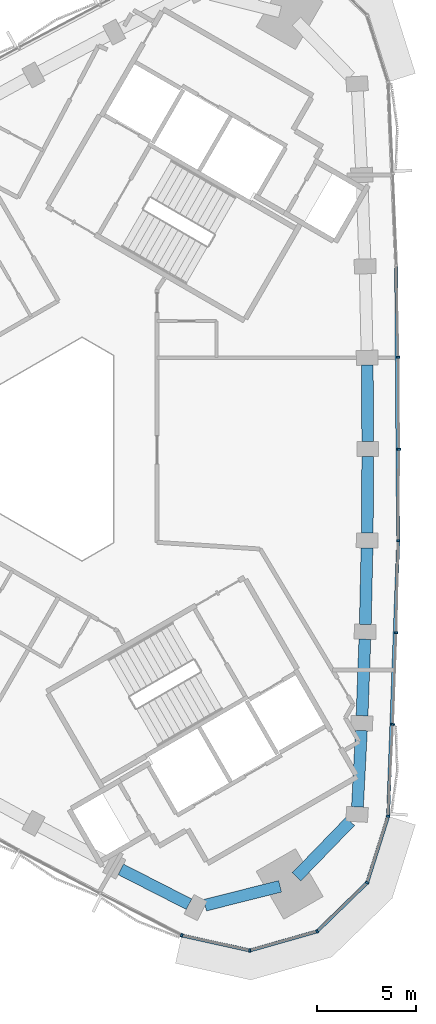
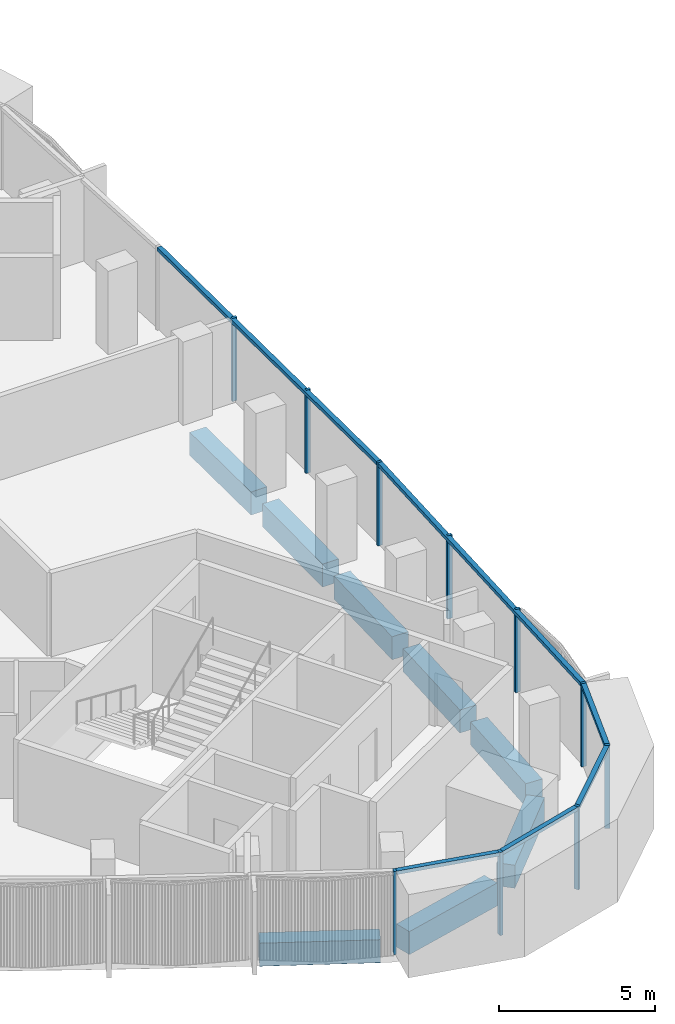
# One storey, part 4 of 14: 16 members, 8 beams, 2 elements without a shape of their own.
"""IFC4 building model written with IfcOpenShell, lengths in metres."""

from ifc_helpers import new_model, si_unit, direction, frame, origin, origin_2d, place, context, subcontext, project, spatial, rectangle, extrude, material, material_profile, profile_set, type_object, element, aggregate, save


model = new_model("IFC4")

# Units and contexts
model_context = context("Model", 3, precision=1e-05, world=origin(), true_north=direction((0.0, 1.0)))
body_context = subcontext(model_context, "Body", "Model", "MODEL_VIEW")
ifc_project = project(units=[si_unit("LENGTHUNIT", "METRE"), si_unit("AREAUNIT", "SQUARE_METRE"), si_unit("VOLUMEUNIT", "CUBIC_METRE"), si_unit("PLANEANGLEUNIT", "RADIAN"), si_unit("MASSUNIT", "GRAM", prefix="KILO")], contexts=[model_context])

# Site, building, storey
site_placement = place(None, origin())
site = spatial("IfcSite", under=ifc_project, at=site_placement, CompositionType="ELEMENT")
building_placement = place(site_placement, origin())
building = spatial("IfcBuilding", under=site, at=building_placement, Name="Tamra Quay Hotel Tower", CompositionType="ELEMENT")
storey_placement = place(building_placement, frame((0.0, 0.0, 228.60009765625)))
storey = spatial("IfcBuildingStorey", under=building, at=storey_placement, Name="L57", CompositionType="ELEMENT", Elevation=228.60009765625)

# Curtain wall, members
ifc_material_1 = material(Name="Aluminium 6063 anodised dark grey", Category="aluminium")
curtain_wall_type_1 = type_object("IfcCurtainWallType", Name="CW1 CURTAIN WALL", PredefinedType="NOTDEFINED", material=ifc_material_1)
curtain_wall_1_placement = place(storey_placement, origin())
curtain_wall_1 = element("IfcCurtainWall", 1, at=curtain_wall_1_placement, inside=storey, type_object=curtain_wall_type_1, Name="CW1 east face L57", PredefinedType="NOTDEFINED")
ifc_material_profile_1 = material_profile(ifc_material_1, rectangle(XDim=0.169921875, YDim=0.10009765625, at=origin_2d()), Name="MULLION 100X170")
ifc_profile_set_1 = profile_set([ifc_material_profile_1], Name="Aluminium 6063 anodised dark grey")
member_type_1 = type_object("IfcMemberType", Name="MULLION CW1 Z5", PredefinedType="MULLION", material=ifc_profile_set_1)
member_1_placement = place(storey_placement, frame((17.69677734375, -18.5830078125, 0.0), z_axis=(0.0, 0.0, 1.0), x_axis=(0.984105321789, -0.177585797933, 0.0)))
member_1 = element("IfcMember", 2, at=member_1_placement, type_object=member_type_1, Name="CW1 mullion L57.E.1", PredefinedType="MULLION", context=body_context, shape_type="SweptSolid", body=[
    extrude(rectangle(XDim=0.169921875, YDim=0.10009765625, at=origin_2d()), origin(), (0.0, 0.0, 1.0), 3.25),
])
member_2_placement = place(storey_placement, frame((17.935791015625, -13.94091796875, 0.0), z_axis=(0.0, 0.0, 1.0), x_axis=(0.999028216264, -0.044075198344, 0.0)))
member_2 = element("IfcMember", 3, at=member_2_placement, type_object=member_type_1, Name="CW1 mullion L57.E.2", PredefinedType="MULLION", context=body_context, shape_type="SweptSolid", body=[
    extrude(rectangle(XDim=0.169921875, YDim=0.10009765625, at=origin_2d()), origin(), (0.0, 0.0, 1.0), 3.25),
])
member_3_placement = place(storey_placement, frame((18.106689453125, -9.295166015625, 0.0), z_axis=(0.0, 0.0, 1.0), x_axis=(0.999567592353, -0.029404562872, 0.0)))
member_3 = element("IfcMember", 4, at=member_3_placement, type_object=member_type_1, Name="CW1 mullion L57.E.3", PredefinedType="MULLION", context=body_context, shape_type="SweptSolid", body=[
    extrude(rectangle(XDim=0.169921875, YDim=0.10009765625, at=origin_2d()), origin(), (0.0, 0.0, 1.0), 3.25),
])
member_4_placement = place(storey_placement, frame((18.209228515625, -4.648681640625, 0.0), z_axis=(0.0, 0.0, 1.0), x_axis=(0.999891761693, -0.014712746134, 0.0)))
member_4 = element("IfcMember", 5, at=member_4_placement, type_object=member_type_1, Name="CW1 mullion L57.E.4", PredefinedType="MULLION", context=body_context, shape_type="SweptSolid", body=[
    extrude(rectangle(XDim=0.169921875, YDim=0.10009765625, at=origin_2d()), origin(), (0.0, 0.0, 1.0), 3.25),
])
member_5_placement = place(storey_placement, frame((18.243408203125, 0.0, 0.0), z_axis=(0.0, 0.0, 1.0), x_axis=(1.0, 0.0, 0.0)))
member_5 = element("IfcMember", 6, at=member_5_placement, type_object=member_type_1, Name="CW1 mullion L57.E.5", PredefinedType="MULLION", context=body_context, shape_type="SweptSolid", body=[
    extrude(rectangle(XDim=0.169921875, YDim=0.10009765625, at=origin_2d()), origin(), (0.0, 0.0, 1.0), 3.25),
])
member_6_placement = place(storey_placement, frame((18.209228515625, 4.648681640625, 0.0), z_axis=(0.0, 0.0, 1.0), x_axis=(0.999891761693, 0.014712746134, 0.0)))
member_6 = element("IfcMember", 7, at=member_6_placement, type_object=member_type_1, Name="CW1 mullion L57.E.6", PredefinedType="MULLION", context=body_context, shape_type="SweptSolid", body=[
    extrude(rectangle(XDim=0.169921875, YDim=0.10009765625, at=origin_2d()), origin(), (0.0, 0.0, 1.0), 3.25),
])

curtain_wall_type_2 = type_object("IfcCurtainWallType", Name="CW3 CURTAIN WALL", PredefinedType="NOTDEFINED", material=ifc_material_1)
curtain_wall_2_placement = place(storey_placement, origin())
curtain_wall_2 = element("IfcCurtainWall", 8, at=curtain_wall_2_placement, inside=storey, type_object=curtain_wall_type_2, Name="CW3 south-west face L57", PredefinedType="NOTDEFINED")
ifc_material_profile_2 = material_profile(ifc_material_1, rectangle(XDim=0.169921875, YDim=0.10009765625, at=origin_2d()), Name="MULLION 100X170")
ifc_profile_set_2 = profile_set([ifc_material_profile_2], Name="Aluminium 6063 anodised dark grey")
member_type_2 = type_object("IfcMemberType", Name="MULLION CW3 Z5", PredefinedType="MULLION", material=ifc_profile_set_2)
member_7_placement = place(storey_placement, frame((7.244873046875, -24.617431640625, 0.0), z_axis=(0.0, 0.0, 1.0), x_axis=(-0.338258848533, -0.941053107635, 0.0)))
member_7 = element("IfcMember", 9, at=member_7_placement, type_object=member_type_2, Name="CW3 mullion L57.SW.9", PredefinedType="MULLION", context=body_context, shape_type="SweptSolid", body=[
    extrude(rectangle(XDim=0.169921875, YDim=0.10009765625, at=origin_2d()), origin(), (0.0, 0.0, 1.0), 3.25),
])
member_8_placement = place(storey_placement, frame((10.6962890625, -25.3818359375, 0.0), z_axis=(0.0, 0.0, 1.0), x_axis=(0.029222506575, -0.999572931361, 0.0)))
member_8 = element("IfcMember", 10, at=member_8_placement, type_object=member_type_2, Name="CW3 mullion L57.SW.10", PredefinedType="MULLION", context=body_context, shape_type="SweptSolid", body=[
    extrude(rectangle(XDim=0.169921875, YDim=0.10009765625, at=origin_2d()), origin(), (0.0, 0.0, 1.0), 3.25),
])
member_9_placement = place(storey_placement, frame((14.09716796875, -24.4169921875, 0.0), z_axis=(0.0, 0.0, 1.0), x_axis=(0.5, -0.866025403784, 0.0)))
member_9 = element("IfcMember", 11, at=member_9_placement, type_object=member_type_2, Name="CW3 mullion L57.SW.11", PredefinedType="MULLION", context=body_context, shape_type="SweptSolid", body=[
    extrude(rectangle(XDim=0.169921875, YDim=0.10009765625, at=origin_2d()), origin(), (0.0, 0.0, 1.0), 3.25),
])
member_10_placement = place(storey_placement, frame((16.633056640625, -21.9541015625, 0.0), z_axis=(0.0, 0.0, 1.0), x_axis=(0.851044298206, -0.525093898736, 0.0)))
member_10 = element("IfcMember", 12, at=member_10_placement, type_object=member_type_2, Name="CW3 mullion L57.SW.12", PredefinedType="MULLION", context=body_context, shape_type="SweptSolid", body=[
    extrude(rectangle(XDim=0.169921875, YDim=0.10009765625, at=origin_2d()), origin(), (0.0, 0.0, 1.0), 3.25),
])

# Beams
ifc_material_2 = material(Name="Concrete M60", Category="concrete")
ifc_material_profile_3 = material_profile(ifc_material_2, rectangle(XDim=0.60009765625, YDim=0.89990234375, at=origin_2d()), Name="SPANDREL BEAM RC 600x900")
ifc_profile_set_3 = profile_set([ifc_material_profile_3], Name="Concrete M60")
beam_type = type_object("IfcBeamType", Name="SPANDREL BEAM RC 600x900", PredefinedType="SPANDREL", material=ifc_profile_set_3)
beam_1_placement = place(storey_placement, frame((16.144775390625, -18.116455078125, -0.800048828125), z_axis=(0.051404854824, 0.998677896471, 0.0), x_axis=(-0.998677896471, 0.051404854824, 0.0)))
element("IfcBeam", 13, at=beam_1_placement, inside=storey, type_object=beam_type, Name="BM-SP5-000-L57", PredefinedType="SPANDREL", context=body_context, shape_type="SweptSolid", body=[
    extrude(rectangle(XDim=0.60009765625, YDim=0.89990234375, at=origin_2d()), origin(), (0.0, 0.0, 1.0), 3.87548828125),
])
beam_2_placement = place(storey_placement, frame((16.377197265625, -13.496826171875, -0.800048828125), z_axis=(0.036732019634, 0.999325151657, 0.0), x_axis=(-0.999325151657, 0.036732019634, 0.0)))
element("IfcBeam", 14, at=beam_2_placement, inside=storey, type_object=beam_type, Name="BM-SP5-001-L57", PredefinedType="SPANDREL", context=body_context, shape_type="SweptSolid", body=[
    extrude(rectangle(XDim=0.60009765625, YDim=0.89990234375, at=origin_2d()), origin(), (0.0, 0.0, 1.0), 3.875),
])
beam_3_placement = place(storey_placement, frame((16.54150390625, -8.874755859375, -0.800048828125), z_axis=(0.022047440235, 0.999756925647, 0.0), x_axis=(-0.999756925647, 0.022047440235, 0.0)))
element("IfcBeam", 15, at=beam_3_placement, inside=storey, type_object=beam_type, Name="BM-SP5-002-L57", PredefinedType="SPANDREL", context=body_context, shape_type="SweptSolid", body=[
    extrude(rectangle(XDim=0.60009765625, YDim=0.89990234375, at=origin_2d()), origin(), (0.0, 0.0, 1.0), 3.875732421875),
])
for number, where, z_axis, x_axis, name in (
    (16, (16.63818359375, -4.25, -0.800048828125), (0.007308272564, 0.999973294219, 0.0), (-0.999973294219, 0.007308272564, 0.0), "BM-SP5-003-L57"),
    (17, (16.66650390625, 0.375, -0.800048828125), (-0.007308272564, 0.999973294219, 0.0), (-0.999973294219, -0.007308272564, 0.0), "BM-SP5-004-L57"),
):
    element("IfcBeam", number, at=place(storey_placement, frame(where, z_axis=z_axis, x_axis=x_axis)), inside=storey, type_object=beam_type, Name=name, PredefinedType="SPANDREL", context=body_context, shape_type="SweptSolid", body=[
        extrude(rectangle(XDim=0.60009765625, YDim=0.89990234375, at=origin_2d()), origin(), (0.0, 0.0, 1.0), 3.875),
    ])
beam_4_placement = place(storey_placement, frame((4.16552734375, -21.277587890625, -0.800048828125), z_axis=(0.890602550436, -0.454782472349, 0.0), x_axis=(0.454782472349, 0.890602550436, 0.0)))
element("IfcBeam", 18, at=beam_4_placement, inside=storey, type_object=beam_type, Name="BM-SP5-027-L57", PredefinedType="SPANDREL", context=body_context, shape_type="SweptSolid", body=[
    extrude(rectangle(XDim=0.60009765625, YDim=0.89990234375, at=origin_2d()), origin(), (0.0, 0.0, 1.0), 3.87548828125),
])
beam_5_placement = place(storey_placement, frame((8.430908203125, -23.090087890625, -0.800048828125), z_axis=(0.969848171666, 0.243709917558, 0.0), x_axis=(-0.243709917558, 0.969848171666, 0.0)))
element("IfcBeam", 19, at=beam_5_placement, inside=storey, type_object=beam_type, Name="BM-SP5-028-L57", PredefinedType="SPANDREL", context=body_context, shape_type="SweptSolid", body=[
    extrude(rectangle(XDim=0.60009765625, YDim=0.89990234375, at=origin_2d()), origin(), (0.0, 0.0, 1.0), 3.912841796875),
])
beam_6_placement = place(storey_placement, frame((13.05810546875, -21.656005859375, -0.800048828125), z_axis=(0.69594408001, 0.718095980701, 0.0), x_axis=(-0.718095980701, 0.69594408001, 0.0)))
element("IfcBeam", 20, at=beam_6_placement, inside=storey, type_object=beam_type, Name="BM-SP5-029-L57", PredefinedType="SPANDREL", context=body_context, shape_type="SweptSolid", body=[
    extrude(rectangle(XDim=0.60009765625, YDim=0.89990234375, at=origin_2d()), origin(), (0.0, 0.0, 1.0), 3.91259765625),
])

# Member
ifc_material_profile_4 = material_profile(ifc_material_1, rectangle(XDim=0.169921875, YDim=0.139892578125, at=origin_2d()), Name="TRANSOM 170X140")
ifc_profile_set_4 = profile_set([ifc_material_profile_4], Name="Aluminium 6063 anodised dark grey")
member_type_3 = type_object("IfcMemberType", Name="TRANSOM CW1 Z5", PredefinedType="USERDEFINED", material=ifc_profile_set_4)
member_11_placement = place(storey_placement, frame((17.699462890625, -18.532958984375, 3.179931640625), z_axis=(0.03673444579, 0.999325062476, 0.0), x_axis=(-0.999325062476, 0.03673444579, 0.0)))
member_11 = element("IfcMember", 21, at=member_11_placement, type_object=member_type_3, Name="CW1 transom L57.E.1", ObjectType="TRANSOM", PredefinedType="USERDEFINED", context=body_context, shape_type="SweptSolid", body=[
    extrude(rectangle(XDim=0.169921875, YDim=0.139892578125, at=origin_2d()), origin(), (0.0, 0.0, 1.0), 13.84375),
])

member_12_placement = place(storey_placement, frame((18.20947265625, -4.5986328125, 3.179931640625), z_axis=(-0.00735365003, 0.99997296155, 0.0), x_axis=(-0.99997296155, -0.00735365003, 0.0)))
member_12 = element("IfcMember", 22, at=member_12_placement, type_object=member_type_3, Name="CW1 transom L57.E.4", ObjectType="TRANSOM", PredefinedType="USERDEFINED", context=body_context, shape_type="SweptSolid", body=[
    extrude(rectangle(XDim=0.169921875, YDim=0.139892578125, at=origin_2d()), origin(), (0.0, 0.0, 1.0), 13.844482421875),
])

aggregate(curtain_wall_1, [member_1, member_11, member_2, member_3, member_4, member_12, member_5, member_6])

ifc_material_profile_5 = material_profile(ifc_material_1, rectangle(XDim=0.169921875, YDim=0.139892578125, at=origin_2d()), Name="TRANSOM 170X140")
ifc_profile_set_5 = profile_set([ifc_material_profile_5], Name="Aluminium 6063 anodised dark grey")
member_type_4 = type_object("IfcMemberType", Name="TRANSOM CW3 Z5", PredefinedType="USERDEFINED", material=ifc_profile_set_5)
member_13_placement = place(storey_placement, frame((7.293701171875, -24.628173828125, 3.179931640625), z_axis=(0.976332331622, -0.21627569958, 0.0), x_axis=(0.21627569958, 0.976332331622, 0.0)))
member_13 = element("IfcMember", 23, at=member_13_placement, type_object=member_type_4, Name="CW3 transom L57.SW.9", ObjectType="TRANSOM", PredefinedType="USERDEFINED", context=body_context, shape_type="SweptSolid", body=[
    extrude(rectangle(XDim=0.169921875, YDim=0.139892578125, at=origin_2d()), origin(), (0.0, 0.0, 1.0), 3.43505859375),
])

member_14_placement = place(storey_placement, frame((10.744384765625, -25.3681640625, 3.179931640625), z_axis=(0.962037198813, 0.272918354273, 0.0), x_axis=(-0.272918354273, 0.962037198813, 0.0)))
member_14 = element("IfcMember", 24, at=member_14_placement, type_object=member_type_4, Name="CW3 transom L57.SW.10", ObjectType="TRANSOM", PredefinedType="USERDEFINED", context=body_context, shape_type="SweptSolid", body=[
    extrude(rectangle(XDim=0.169921875, YDim=0.139892578125, at=origin_2d()), origin(), (0.0, 0.0, 1.0), 3.43505859375),
])

member_15_placement = place(storey_placement, frame((14.133056640625, -24.38232421875, 3.179931640625), z_axis=(0.717337227603, 0.696726131199, 0.0), x_axis=(-0.696726131199, 0.717337227603, 0.0)))
member_15 = element("IfcMember", 25, at=member_15_placement, type_object=member_type_4, Name="CW3 transom L57.SW.11", ObjectType="TRANSOM", PredefinedType="USERDEFINED", context=body_context, shape_type="SweptSolid", body=[
    extrude(rectangle(XDim=0.169921875, YDim=0.139892578125, at=origin_2d()), origin(), (0.0, 0.0, 1.0), 3.43505859375),
])

member_16_placement = place(storey_placement, frame((16.648193359375, -21.906494140625, 3.179931640625), z_axis=(0.30092047073, 0.953649238607, 0.0), x_axis=(-0.953649238607, 0.30092047073, 0.0)))
member_16 = element("IfcMember", 26, at=member_16_placement, type_object=member_type_4, Name="CW3 transom L57.SW.12", ObjectType="TRANSOM", PredefinedType="USERDEFINED", context=body_context, shape_type="SweptSolid", body=[
    extrude(rectangle(XDim=0.169921875, YDim=0.139892578125, at=origin_2d()), origin(), (0.0, 0.0, 1.0), 3.43505859375),
])

aggregate(curtain_wall_2, [member_7, member_13, member_8, member_14, member_9, member_15, member_10, member_16])

save(model, "model.ifc")
